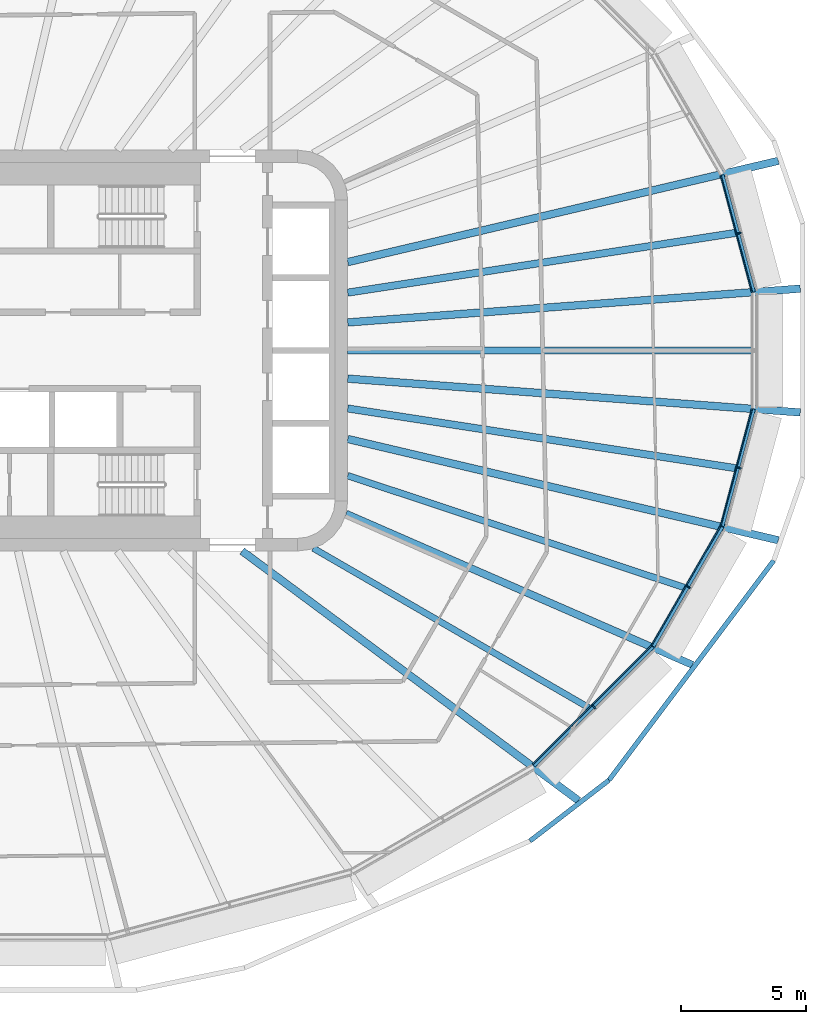
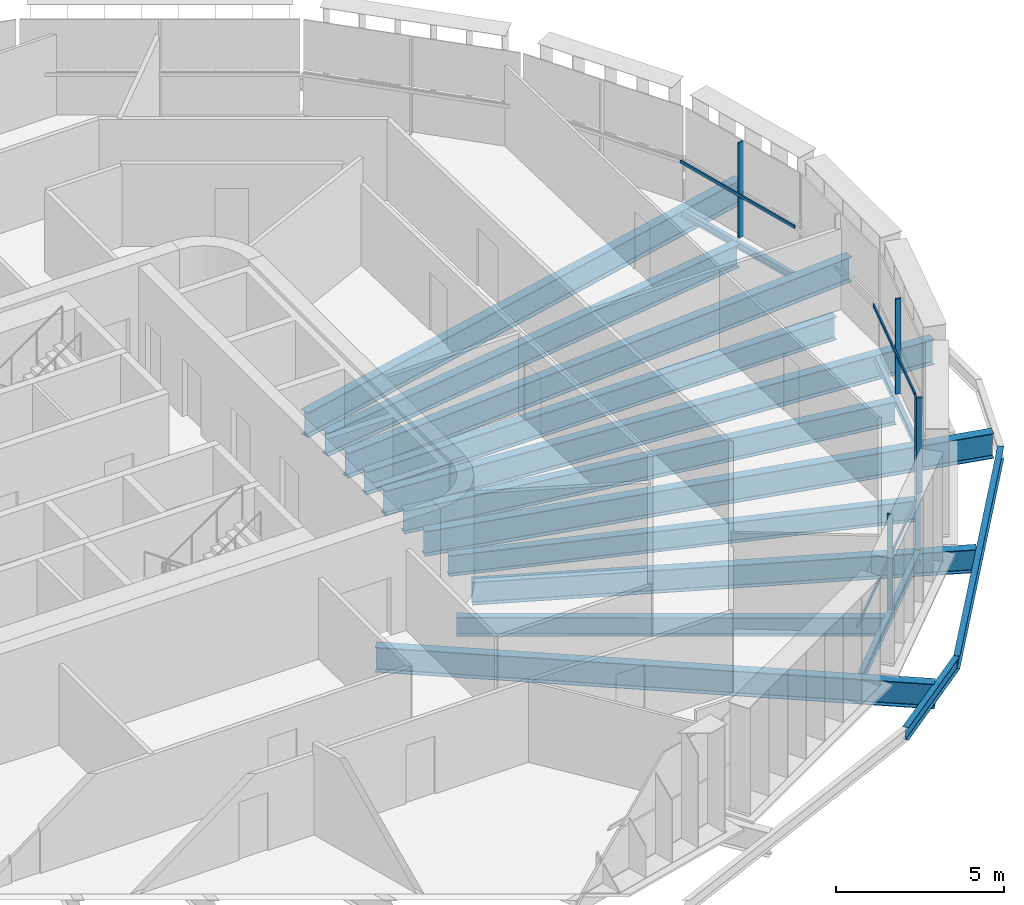
# One storey, part 4 of 23: 17 beams, 8 members, 4 elements without a shape of their own.
"""IFC4 building model written with IfcOpenShell, lengths in metres."""

import ifcopenshell
import ifcopenshell.guid

model = None  # the IFC model being written
_history = None  # IfcOwnerHistory: only IFC2X3 demands one
_inside = {}  # id of a spatial element -> (the spatial element, [elements in it])
_under = {}  # id of a project, library or spatial element -> (it, [spatial elements below it])
_declared = {}  # id of a project -> (the project, [libraries it declares])
_typed = {}  # id of a type object -> (the type object, [elements of that type])
_made_of = {}  # id of a material, layer set ... -> (it, [elements and type objects made of it])


def new_model(schema):
    """Start an empty IFC model of exactly this schema.

    Asked for "IFC4X3", IfcOpenShell would pick the latest addendum, in which some entities
    have other attributes; the version numbers below select the first issue.
    IFC2X3 requires an IfcOwnerHistory on every rooted entity: one is made here for all.
    """
    global model, _history
    if schema == "IFC4X3":
        model = ifcopenshell.file(schema_version=(4, 3, 0, 0))
    else:
        model = ifcopenshell.file(schema=schema)
    _inside.clear()
    _under.clear()
    _declared.clear()
    _typed.clear()
    _made_of.clear()
    _history = None
    if model.schema == "IFC2X3":
        org = make("IfcOrganization", Name="unknown")
        user = make(
            "IfcPersonAndOrganization",
            ThePerson=make("IfcPerson", FamilyName="unknown"),
            TheOrganization=org,
        )
        app = make(
            "IfcApplication",
            ApplicationDeveloper=org,
            Version="unknown",
            ApplicationFullName="unknown",
            ApplicationIdentifier="unknown",
        )
        _history = make(
            "IfcOwnerHistory",
            OwningUser=user,
            OwningApplication=app,
            ChangeAction="ADDED",
            CreationDate=0,
        )
    return model


def make(cls, **values):
    """One entity of the class cls with the attributes given. An attribute that is None is left unset."""
    return model.create_entity(
        cls, **{name: value for name, value in values.items() if value is not None}
    )


def rooted(cls, **values):
    """An entity with a GlobalId (a new one), such as an element, a storey or a relation."""
    return make(cls, GlobalId=ifcopenshell.guid.new(), OwnerHistory=_history, **values)


def si_unit(unit_type, name, prefix=None):
    """IfcSIUnit, for example si_unit("LENGTHUNIT", "METRE", prefix="MILLI")."""
    return make("IfcSIUnit", UnitType=unit_type, Prefix=prefix, Name=name)


def assignment(units):
    """IfcUnitAssignment: the units of a project."""
    return None if units is None else make("IfcUnitAssignment", Units=units)


def point(xyz):
    """IfcCartesianPoint."""
    return None if xyz is None else make("IfcCartesianPoint", Coordinates=xyz)


def direction(xyz):
    """IfcDirection."""
    return None if xyz is None else make("IfcDirection", DirectionRatios=xyz)


def frame(location, z_axis=None, x_axis=None):
    """IfcAxis2Placement3D, a coordinate frame: its origin and axes. An axis left out is left unset."""
    return make(
        "IfcAxis2Placement3D",
        Location=point(location),
        Axis=direction(z_axis),
        RefDirection=direction(x_axis),
    )


def frame_2d(location, x_axis=None):
    """IfcAxis2Placement2D, a coordinate frame in the plane: its origin and x axis."""
    return make(
        "IfcAxis2Placement2D", Location=point(location), RefDirection=direction(x_axis)
    )


def origin():
    """The frame at (0, 0, 0) with its axes left unset."""
    return frame((0.0, 0.0, 0.0))


def origin_2d():
    """The frame at (0, 0) in the plane with its x axis left unset."""
    return frame_2d((0.0, 0.0))


def place(relative_to, where):
    """IfcLocalPlacement: puts the frame where relative to a parent placement (None: the world)."""
    return make(
        "IfcLocalPlacement", PlacementRelTo=relative_to, RelativePlacement=where
    )


def context(
    kind, dimensions, precision=None, world=None, true_north=None, identifier=None
):
    """IfcGeometricRepresentationContext, for example the 3D "Model" context."""
    return make(
        "IfcGeometricRepresentationContext",
        ContextIdentifier=identifier,
        ContextType=kind,
        CoordinateSpaceDimension=dimensions,
        Precision=precision,
        WorldCoordinateSystem=world,
        TrueNorth=true_north,
    )


def subcontext(parent, identifier, kind, view, scale=None):
    """IfcGeometricRepresentationSubContext, for example "Body" below "Model"."""
    return make(
        "IfcGeometricRepresentationSubContext",
        ContextIdentifier=identifier,
        ContextType=kind,
        ParentContext=parent,
        TargetScale=scale,
        TargetView=view,
    )


def project(units=None, contexts=None):
    """IfcProject with its units and contexts."""
    return rooted(
        "IfcProject",
        Name="project",
        RepresentationContexts=contexts,
        UnitsInContext=assignment(units),
    )


def spatial(cls, under=None, at=None, **own):
    """A site, building, storey or space (cls), placed at a placement, below another one or the project."""
    s = rooted(cls, ObjectPlacement=at, **own)
    if under is not None:
        _under.setdefault(under.id(), (under, []))[1].append(s)
    return s


def profile(cls, at=None, kind="AREA", **sizes):
    """A parametric profile (cls). Its sizes go by their IFC names, for example OverallWidth=200.0."""
    return make(cls, ProfileType=kind, Position=at, **sizes)


def rectangle(**sizes):
    """IfcRectangleProfileDef."""
    return profile("IfcRectangleProfileDef", **sizes)


def i_section(**sizes):
    """IfcIShapeProfileDef."""
    return profile("IfcIShapeProfileDef", **sizes)


def extrude(swept, where, along, depth):
    """IfcExtrudedAreaSolid: the profile swept, set in the frame where, extruded along a direction by depth."""
    return make(
        "IfcExtrudedAreaSolid",
        SweptArea=swept,
        Position=where,
        ExtrudedDirection=direction(along),
        Depth=depth,
    )


def shape(context_of_items, identifier, shape_type, items):
    """IfcShapeRepresentation: the items that make up one representation, for example the "Body"."""
    return make(
        "IfcShapeRepresentation",
        ContextOfItems=context_of_items,
        RepresentationIdentifier=identifier,
        RepresentationType=shape_type,
        Items=items,
    )


def material(Name=None, Category=None):
    """IfcMaterial."""
    return make("IfcMaterial", Name=Name, Category=Category)


def layer(
    of_material, thickness, ventilated=None, Name=None, Category=None, Priority=None
):
    """IfcMaterialLayer: one layer of a wall or slab, of a material (None: an air gap)."""
    return make(
        "IfcMaterialLayer",
        Material=of_material,
        LayerThickness=thickness,
        IsVentilated=ventilated,
        Name=Name,
        Category=Category,
        Priority=Priority,
    )


def layer_set(layers, Name=None):
    """IfcMaterialLayerSet."""
    return make("IfcMaterialLayerSet", MaterialLayers=layers, LayerSetName=Name)


def material_profile(
    of_material, cross_section, Name=None, Category=None, Priority=None
):
    """IfcMaterialProfile: a cross section and its material."""
    return make(
        "IfcMaterialProfile",
        Name=Name,
        Material=of_material,
        Profile=cross_section,
        Priority=Priority,
        Category=Category,
    )


def profile_set(profiles, Name=None, composite=None):
    """IfcMaterialProfileSet."""
    return make(
        "IfcMaterialProfileSet",
        Name=Name,
        MaterialProfiles=profiles,
        CompositeProfile=composite,
    )


def made_of(thing, what):
    """Note that an element or type object is made of a material, layer set ...; save() writes the relation."""
    if what is not None:
        _made_of.setdefault(what.id(), (what, []))[1].append(thing)
    return thing


def type_object(cls, material=None, **own):
    """A type object (cls), such as IfcWallType, which elements share."""
    return made_of(rooted(cls, **own), material)


def element(
    cls,
    number,
    at=None,
    inside=None,
    cuts=None,
    type_object=None,
    material=None,
    context=None,
    identifier="Body",
    shape_type=None,
    held_by="IfcProductDefinitionShape",
    body=None,
    shapes=None,
    **own,
):
    """One element of the class cls, such as IfcWall. Its Tag is "e" and its number.

    at: its placement. inside: the storey or other place that contains it. cuts: it is an
    opening in that element (IfcRelVoidsElement). A single representation is given by context,
    identifier, shape_type and body (its items); several are given by shapes. held_by: the class
    of the entity that holds the representations. save() writes the other relations.
    """
    e = rooted(cls, Tag="e%d" % number, ObjectPlacement=at, **own)
    if body is not None:
        shapes = [shape(context, identifier, shape_type, body)]
    if shapes is not None:
        e.Representation = make(held_by, Representations=shapes)
    if inside is not None:
        _inside.setdefault(inside.id(), (inside, []))[1].append(e)
    if cuts is not None:
        rooted(
            "IfcRelVoidsElement", RelatingBuildingElement=cuts, RelatedOpeningElement=e
        )
    if type_object is not None:
        _typed.setdefault(type_object.id(), (type_object, []))[1].append(e)
    return made_of(e, material)


def aggregate(whole, parts):
    """IfcRelAggregates: a whole, such as a stair, and the parts it consists of."""
    return rooted("IfcRelAggregates", RelatingObject=whole, RelatedObjects=parts)


def save(model, path):
    """Write the relations noted so far, then the file.

    IfcRelAggregates (storeys below a building ...), IfcRelContainedInSpatialStructure (elements
    in a storey), IfcRelDefinesByType, IfcRelAssociatesMaterial and IfcRelDeclares: one each for
    every whole, place, type object, material and project.
    """
    for whole, parts in _under.values():
        aggregate(whole, parts)
    for where, things in _inside.values():
        rooted(
            "IfcRelContainedInSpatialStructure",
            RelatedElements=things,
            RelatingStructure=where,
        )
    for kind, things in _typed.values():
        rooted("IfcRelDefinesByType", RelatedObjects=things, RelatingType=kind)
    for what, things in _made_of.values():
        rooted("IfcRelAssociatesMaterial", RelatedObjects=things, RelatingMaterial=what)
    for by, libraries in _declared.values():
        rooted("IfcRelDeclares", RelatingContext=by, RelatedDefinitions=libraries)
    model.write(path)


model = new_model("IFC4")

# Units and contexts
model_context = context("Model", 3, precision=1e-05, world=origin(), true_north=direction((0.0, 1.0)))
body_context = subcontext(model_context, "Body", "Model", "MODEL_VIEW")
ifc_project = project(units=[si_unit("LENGTHUNIT", "METRE"), si_unit("AREAUNIT", "SQUARE_METRE"), si_unit("VOLUMEUNIT", "CUBIC_METRE"), si_unit("PLANEANGLEUNIT", "RADIAN"), si_unit("MASSUNIT", "GRAM", prefix="KILO")], contexts=[model_context])

# Site, building, storey
site_placement = place(None, origin())
site = spatial("IfcSite", under=ifc_project, at=site_placement, CompositionType="ELEMENT")
building_placement = place(site_placement, origin())
building = spatial("IfcBuilding", under=site, at=building_placement, Name="Sahrelin Media Tower", CompositionType="ELEMENT")
storey_placement = place(building_placement, frame((0.0, 0.0, 161.60009765625)))
storey = spatial("IfcBuildingStorey", under=building, at=storey_placement, Name="L33", CompositionType="ELEMENT", Elevation=161.60009765625)

# Beams
ifc_material_1 = material(Name="Steel S355", Category="steel")
ifc_material_profile_1 = material_profile(ifc_material_1, i_section(OverallWidth=0.14599609375, OverallDepth=0.25146484375, WebThickness=0.006103515625, FlangeThickness=0.008544921875, FilletRadius=0.007568359375, at=origin_2d()), Name="UB 254x146x31")
ifc_profile_set_1 = profile_set([ifc_material_profile_1], Name="Steel S355")
beam_type_1 = type_object("IfcBeamType", Name="Edge beam EB1", PredefinedType="BEAM", material=ifc_profile_set_1)
for number, where, z_axis, x_axis, name in (
    (1, (31.19775390625, -2.33740234375, -0.27587890625), (-0.258800908736, -0.965930685731, 0.0), (0.965930685731, -0.258800908736, 0.0), "Edge beam L33-02"),
    (2, (29.947265625, 7.004638671875, -0.27587890625), (0.258800908736, -0.965930685731, 0.0), (0.965930685731, 0.258800908736, 0.0), "Edge beam L33-24"),
):
    element("IfcBeam", number, at=place(storey_placement, frame(where, z_axis=z_axis, x_axis=x_axis)), inside=storey, type_object=beam_type_1, Name=name, PredefinedType="BEAM", context=body_context, shape_type="SweptSolid", body=[
        extrude(i_section(OverallWidth=0.14599609375, OverallDepth=0.25146484375, WebThickness=0.006103515625, FlangeThickness=0.008544921875, FilletRadius=0.007568359375, at=origin_2d()), origin(), (0.0, 0.0, 1.0), 4.831787109375),
    ])
ifc_material_profile_2 = material_profile(ifc_material_1, i_section(OverallWidth=0.1650390625, OverallDepth=0.303466796875, WebThickness=0.006103515625, FlangeThickness=0.01025390625, FilletRadius=0.0087890625, at=origin_2d()), Name="UB 305x165x40")
ifc_profile_set_2 = profile_set([ifc_material_profile_2], Name="Steel S355")
beam_type_2 = type_object("IfcBeamType", Name="Edge beam EB2", PredefinedType="BEAM", material=ifc_profile_set_2)
beam_1_placement = place(storey_placement, frame((29.936279296875, -7.03125, -0.3017578125), z_axis=(-0.499996181239, -0.866027608536, 0.0), x_axis=(0.866027608536, -0.499996181239, 0.0)))
element("IfcBeam", 3, at=beam_1_placement, inside=storey, type_object=beam_type_2, Name="Edge beam L33-03", PredefinedType="BEAM", context=body_context, shape_type="SweptSolid", body=[
    extrude(i_section(OverallWidth=0.1650390625, OverallDepth=0.303466796875, WebThickness=0.006103515625, FlangeThickness=0.01025390625, FilletRadius=0.0087890625, at=origin_2d()), origin(), (0.0, 0.0, 1.0), 5.50732421875),
])
ifc_material_profile_3 = material_profile(ifc_material_1, i_section(OverallWidth=0.17138671875, OverallDepth=0.35498046875, WebThickness=0.00732421875, FlangeThickness=0.011474609375, FilletRadius=0.01025390625, at=origin_2d()), Name="UB 356x171x51")
ifc_profile_set_3 = profile_set([ifc_material_profile_3], Name="Steel S355")
beam_type_3 = type_object("IfcBeamType", Name="Edge beam EB3", PredefinedType="BEAM", material=ifc_profile_set_3)
beam_2_placement = place(storey_placement, frame((27.1650390625, -11.823486328125, -0.32763671875), z_axis=(-0.707088574851, -0.707124987054, 0.0), x_axis=(0.707124987054, -0.707088574851, 0.0)))
element("IfcBeam", 4, at=beam_2_placement, inside=storey, type_object=beam_type_3, Name="Edge beam L33-04", PredefinedType="BEAM", context=body_context, shape_type="SweptSolid", body=[
    extrude(i_section(OverallWidth=0.17138671875, OverallDepth=0.35498046875, WebThickness=0.00732421875, FlangeThickness=0.011474609375, FilletRadius=0.01025390625, at=origin_2d()), origin(), (0.0, 0.0, 1.0), 6.704833984375),
])

# Curtain wall, member
ifc_material_2 = material(Name="Champagne anodised aluminium 6063-T6", Category="aluminium")
ifc_layer = layer(ifc_material_2, 0.14990234375)
ifc_layer_set = layer_set([ifc_layer], Name="Tower ribbon curtain wall")
curtain_wall_type = type_object("IfcCurtainWallType", Name="Tower ribbon curtain wall", PredefinedType="NOTDEFINED", material=ifc_layer_set)
curtain_wall_1_placement = place(storey_placement, frame((30.71728515625, 4.709716796875, 0.0), z_axis=(0.0, 0.0, 1.0), x_axis=(1.0, 0.0, 0.0)))
curtain_wall_1 = element("IfcCurtainWall", 5, at=curtain_wall_1_placement, inside=storey, type_object=curtain_wall_type, Name="L33:CW:L33-01", PredefinedType="NOTDEFINED")
ifc_material_profile_4 = material_profile(ifc_material_2, rectangle(XDim=0.06005859375, YDim=0.175048828125, at=origin_2d()), Name="Mullion 60x175")
ifc_profile_set_4 = profile_set([ifc_material_profile_4], Name="Champagne anodised aluminium 6063-T6")
member_type_1 = type_object("IfcMemberType", Name="Mullion 60x175 CW1B", PredefinedType="MULLION", material=ifc_profile_set_4)
member_1_placement = place(storey_placement, frame((30.613525390625, 4.681884765625, 0.0), z_axis=(0.0, 0.0, 1.0), x_axis=(-0.258807244073, 0.965928988288, 0.0)))
member_1 = element("IfcMember", 6, at=member_1_placement, type_object=member_type_1, Name="L33:CWM:L33-01", PredefinedType="MULLION", context=body_context, shape_type="SweptSolid", body=[
    extrude(rectangle(XDim=0.06005859375, YDim=0.175048828125, at=origin_2d()), origin(), (0.0, 0.0, 1.0), 3.448486328125),
])

curtain_wall_2_placement = place(storey_placement, frame((24.900390625, -14.300048828125, 0.0), z_axis=(0.0, 0.0, 1.0), x_axis=(1.0, 0.0, 0.0)))
curtain_wall_2 = element("IfcCurtainWall", 7, at=curtain_wall_2_placement, inside=storey, type_object=curtain_wall_type, Name="L33:CW:L33-21", PredefinedType="NOTDEFINED")
member_2_placement = place(storey_placement, frame((24.824462890625, -14.22412109375, 0.0), z_axis=(0.0, 0.0, 1.0), x_axis=(0.707106781187, 0.707106781187, 0.0)))
member_2 = element("IfcMember", 8, at=member_2_placement, type_object=member_type_1, Name="L33:CWM:L33-21", PredefinedType="MULLION", context=body_context, shape_type="SweptSolid", body=[
    extrude(rectangle(XDim=0.06005859375, YDim=0.175048828125, at=origin_2d()), origin(), (0.0, 0.0, 1.0), 3.448486328125),
])

curtain_wall_3_placement = place(storey_placement, frame((28.689208984375, -9.490966796875, 0.0), z_axis=(0.0, 0.0, 1.0), x_axis=(1.0, 0.0, 0.0)))
curtain_wall_3 = element("IfcCurtainWall", 9, at=curtain_wall_3_placement, inside=storey, type_object=curtain_wall_type, Name="L33:CW:L33-22", PredefinedType="NOTDEFINED")
member_3_placement = place(storey_placement, frame((28.59619140625, -9.437255859375, 0.0), z_axis=(0.0, 0.0, 1.0), x_axis=(0.4999984885, 0.866026276448, 0.0)))
member_3 = element("IfcMember", 10, at=member_3_placement, type_object=member_type_1, Name="L33:CWM:L33-22", PredefinedType="MULLION", context=body_context, shape_type="SweptSolid", body=[
    extrude(rectangle(XDim=0.06005859375, YDim=0.175048828125, at=origin_2d()), origin(), (0.0, 0.0, 1.0), 3.448486328125),
])

curtain_wall_4_placement = place(storey_placement, frame((30.71728515625, -4.709716796875, 0.0), z_axis=(0.0, 0.0, 1.0), x_axis=(1.0, 0.0, 0.0)))
curtain_wall_4 = element("IfcCurtainWall", 11, at=curtain_wall_4_placement, inside=storey, type_object=curtain_wall_type, Name="L33:CW:L33-23", PredefinedType="NOTDEFINED")
member_4_placement = place(storey_placement, frame((30.613525390625, -4.681884765625, 0.0), z_axis=(0.0, 0.0, 1.0), x_axis=(0.258807244073, 0.965928988288, 0.0)))
member_4 = element("IfcMember", 12, at=member_4_placement, type_object=member_type_1, Name="L33:CWM:L33-23", PredefinedType="MULLION", context=body_context, shape_type="SweptSolid", body=[
    extrude(rectangle(XDim=0.06005859375, YDim=0.175048828125, at=origin_2d()), origin(), (0.0, 0.0, 1.0), 3.448486328125),
])

# Beams
ifc_material_profile_5 = material_profile(ifc_material_1, i_section(OverallWidth=0.291748046875, OverallDepth=0.8349609375, WebThickness=0.013916015625, FlangeThickness=0.018798828125, FilletRadius=0.017822265625, at=origin_2d()), Name="UB 838x292x176")
ifc_profile_set_5 = profile_set([ifc_material_profile_5], Name="Steel S355")
beam_type_4 = type_object("IfcBeamType", Name="Radial primary beam PB10", PredefinedType="BEAM", material=ifc_profile_set_5)
beam_3_placement = place(storey_placement, frame((14.9326171875, -6.51318359375, -0.567626953125), z_axis=(0.916605175985, -0.399793635964, 0.0), x_axis=(0.399793635964, 0.916605175985, 0.0)))
element("IfcBeam", 13, at=beam_3_placement, inside=storey, type_object=beam_type_4, Name="Radial beam L33-22", PredefinedType="BEAM", context=body_context, shape_type="SweptSolid", body=[
    extrude(i_section(OverallWidth=0.291748046875, OverallDepth=0.8349609375, WebThickness=0.013916015625, FlangeThickness=0.018798828125, FilletRadius=0.017822265625, at=origin_2d()), origin(), (0.0, 0.0, 1.0), 15.082275390625),
])
ifc_material_profile_6 = material_profile(ifc_material_1, i_section(OverallWidth=0.30322265625, OverallDepth=0.903076171875, WebThickness=0.01513671875, FlangeThickness=0.020263671875, FilletRadius=0.01904296875, at=origin_2d()), Name="UB 914x305x201")
ifc_profile_set_6 = profile_set([ifc_material_profile_6], Name="Steel S355")
beam_type_5 = type_object("IfcBeamType", Name="Radial primary beam PB11", PredefinedType="BEAM", material=ifc_profile_set_6)
beam_4_placement = place(storey_placement, frame((15.0, 1.12109375, -0.6015625), z_axis=(0.997219506704, 0.074520168071, 0.0), x_axis=(-0.074520168071, 0.997219506704, 0.0)))
element("IfcBeam", 14, at=beam_4_placement, inside=storey, type_object=beam_type_5, Name="Radial beam L33-01", PredefinedType="BEAM", context=body_context, shape_type="SweptSolid", body=[
    extrude(i_section(OverallWidth=0.30322265625, OverallDepth=0.903076171875, WebThickness=0.01513671875, FlangeThickness=0.020263671875, FilletRadius=0.01904296875, at=origin_2d()), origin(), (0.0, 0.0, 1.0), 18.110595703125),
])
beam_5_placement = place(storey_placement, frame((15.0, 3.528564453125, -0.6015625), z_axis=(0.97342895828, 0.228989220665, 0.0), x_axis=(-0.228989220665, 0.97342895828, 0.0)))
element("IfcBeam", 15, at=beam_5_placement, inside=storey, type_object=beam_type_5, Name="Radial beam L33-02", PredefinedType="BEAM", context=body_context, shape_type="SweptSolid", body=[
    extrude(i_section(OverallWidth=0.30322265625, OverallDepth=0.903076171875, WebThickness=0.01513671875, FlangeThickness=0.020263671875, FilletRadius=0.01904296875, at=origin_2d()), origin(), (0.0, 0.0, 1.0), 17.650390625),
])
beam_6_placement = place(storey_placement, frame((10.784423828125, -8.0, -0.6015625), z_axis=(0.803147173912, -0.595780678637, 0.0), x_axis=(0.595780678637, 0.803147173912, 0.0)))
element("IfcBeam", 16, at=beam_6_placement, inside=storey, type_object=beam_type_5, Name="Radial beam L33-21", PredefinedType="BEAM", context=body_context, shape_type="SweptSolid", body=[
    extrude(i_section(OverallWidth=0.30322265625, OverallDepth=0.903076171875, WebThickness=0.01513671875, FlangeThickness=0.020263671875, FilletRadius=0.01904296875, at=origin_2d()), origin(), (0.0, 0.0, 1.0), 16.7158203125),
])
beam_7_placement = place(storey_placement, frame((15.0, -3.528564453125, -0.6015625), z_axis=(0.97342895828, -0.228989220665, 0.0), x_axis=(0.228989220665, 0.97342895828, 0.0)))
element("IfcBeam", 17, at=beam_7_placement, inside=storey, type_object=beam_type_5, Name="Radial beam L33-23", PredefinedType="BEAM", context=body_context, shape_type="SweptSolid", body=[
    extrude(i_section(OverallWidth=0.30322265625, OverallDepth=0.903076171875, WebThickness=0.01513671875, FlangeThickness=0.020263671875, FilletRadius=0.01904296875, at=origin_2d()), origin(), (0.0, 0.0, 1.0), 17.650390625),
])
beam_8_placement = place(storey_placement, frame((15.0, -1.12109375, -0.6015625), z_axis=(0.997219506704, -0.074520168071, 0.0), x_axis=(0.074520168071, 0.997219506704, 0.0)))
element("IfcBeam", 18, at=beam_8_placement, inside=storey, type_object=beam_type_5, Name="Radial beam L33-24", PredefinedType="BEAM", context=body_context, shape_type="SweptSolid", body=[
    extrude(i_section(OverallWidth=0.30322265625, OverallDepth=0.903076171875, WebThickness=0.01513671875, FlangeThickness=0.020263671875, FilletRadius=0.01904296875, at=origin_2d()), origin(), (0.0, 0.0, 1.0), 18.110595703125),
])
ifc_material_profile_7 = material_profile(ifc_material_1, i_section(OverallWidth=0.291748046875, OverallDepth=0.8349609375, WebThickness=0.013916015625, FlangeThickness=0.018798828125, FilletRadius=0.017822265625, at=origin_2d()), Name="UB 838x292x176")
ifc_profile_set_7 = profile_set([ifc_material_profile_7], Name="Steel S355")
beam_type_6 = type_object("IfcBeamType", Name="Radial secondary beam SB10", PredefinedType="BEAM", material=ifc_profile_set_7)
for number, where, z_axis, x_axis, name in (
    (19, (15.0, 2.310302734375, -0.567626953125), (0.988348454864, 0.152208185611, 0.0), (-0.152208185611, 0.988348454864, 0.0), "Secondary beam L33-01"),
    (20, (15.0, -2.310302734375, -0.567626953125), (0.988348454864, -0.152208185611, 0.0), (0.152208185611, 0.988348454864, 0.0), "Secondary beam L33-23"),
):
    element("IfcBeam", number, at=place(storey_placement, frame(where, z_axis=z_axis, x_axis=x_axis)), inside=storey, type_object=beam_type_6, Name=name, PredefinedType="BEAM", context=body_context, shape_type="SweptSolid", body=[
        extrude(i_section(OverallWidth=0.291748046875, OverallDepth=0.8349609375, WebThickness=0.013916015625, FlangeThickness=0.018798828125, FilletRadius=0.017822265625, at=origin_2d()), origin(), (0.0, 0.0, 1.0), 15.672607421875),
    ])
beam_9_placement = place(storey_placement, frame((15.0, 0.0, -0.567626953125), z_axis=(1.0, 0.0, 0.0), x_axis=(0.0, 1.0, 0.0)))
element("IfcBeam", 21, at=beam_9_placement, inside=storey, type_object=beam_type_6, Name="Secondary beam L33-24", PredefinedType="BEAM", context=body_context, shape_type="SweptSolid", body=[
    extrude(i_section(OverallWidth=0.291748046875, OverallDepth=0.8349609375, WebThickness=0.013916015625, FlangeThickness=0.018798828125, FilletRadius=0.017822265625, at=origin_2d()), origin(), (0.0, 0.0, 1.0), 16.12841796875),
])
ifc_material_profile_8 = material_profile(ifc_material_1, i_section(OverallWidth=0.2529296875, OverallDepth=0.677978515625, WebThickness=0.01171875, FlangeThickness=0.01611328125, FilletRadius=0.01513671875, at=origin_2d()), Name="UB 686x254x125")
ifc_profile_set_8 = profile_set([ifc_material_profile_8], Name="Steel S355")
beam_type_7 = type_object("IfcBeamType", Name="Radial secondary beam SB8", PredefinedType="BEAM", material=ifc_profile_set_8)
beam_10_placement = place(storey_placement, frame((13.624755859375, -7.887451171875, -0.489013671875), z_axis=(0.865442516247, -0.501008234535, 0.0), x_axis=(0.501008234535, 0.865442516247, 0.0)))
element("IfcBeam", 22, at=beam_10_placement, inside=storey, type_object=beam_type_7, Name="Secondary beam L33-21", PredefinedType="BEAM", context=body_context, shape_type="SweptSolid", body=[
    extrude(i_section(OverallWidth=0.2529296875, OverallDepth=0.677978515625, WebThickness=0.01171875, FlangeThickness=0.01611328125, FilletRadius=0.01513671875, at=origin_2d()), origin(), (0.0, 0.0, 1.0), 12.700927734375),
])
ifc_material_profile_9 = material_profile(ifc_material_1, i_section(OverallWidth=0.26513671875, OverallDepth=0.75390625, WebThickness=0.0126953125, FlangeThickness=0.017578125, FilletRadius=0.0166015625, at=origin_2d()), Name="UB 762x267x147")
ifc_profile_set_9 = profile_set([ifc_material_profile_9], Name="Steel S355")
beam_type_8 = type_object("IfcBeamType", Name="Radial secondary beam SB9", PredefinedType="BEAM", material=ifc_profile_set_9)
beam_11_placement = place(storey_placement, frame((15.0, -4.990234375, -0.527099609375), z_axis=(0.948867590332, -0.315674351219, 0.0), x_axis=(0.315674351219, 0.948867590332, 0.0)))
element("IfcBeam", 23, at=beam_11_placement, inside=storey, type_object=beam_type_8, Name="Secondary beam L33-22", PredefinedType="BEAM", context=body_context, shape_type="SweptSolid", body=[
    extrude(i_section(OverallWidth=0.26513671875, OverallDepth=0.75390625, WebThickness=0.0126953125, FlangeThickness=0.017578125, FilletRadius=0.0166015625, at=origin_2d()), origin(), (0.0, 0.0, 1.0), 14.162353515625),
])
ifc_material_profile_10 = material_profile(ifc_material_1, i_section(OverallWidth=0.1904296875, OverallDepth=0.45703125, WebThickness=0.009033203125, FlangeThickness=0.014404296875, FilletRadius=0.01025390625, at=origin_2d()), Name="UB 457x191x74")
ifc_profile_set_10 = profile_set([ifc_material_profile_10], Name="Steel S355")
beam_type_9 = type_object("IfcBeamType", Name="Tie chord TC5", PredefinedType="BEAM", material=ifc_profile_set_10)
beam_12_placement = place(storey_placement, frame((22.272705078125, -19.56982421875, -0.378662109375), z_axis=(0.792471121329, 0.609909437424, 0.0), x_axis=(-0.609909437424, 0.792471121329, 0.0)))
element("IfcBeam", 24, at=beam_12_placement, inside=storey, type_object=beam_type_9, Name="Tie chord L33-21", PredefinedType="BEAM", context=body_context, shape_type="SweptSolid", body=[
    extrude(i_section(OverallWidth=0.1904296875, OverallDepth=0.45703125, WebThickness=0.009033203125, FlangeThickness=0.014404296875, FilletRadius=0.01025390625, at=origin_2d()), origin(), (0.0, 0.0, 1.0), 3.978515625),
])
beam_13_placement = place(storey_placement, frame((25.425537109375, -17.143310546875, -0.378662109375), z_axis=(0.600060592458, 0.799954552071, 0.0), x_axis=(-0.799954552071, 0.600060592458, 0.0)))
element("IfcBeam", 25, at=beam_13_placement, inside=storey, type_object=beam_type_9, Name="Tie chord L33-22", PredefinedType="BEAM", context=body_context, shape_type="SweptSolid", body=[
    extrude(i_section(OverallWidth=0.1904296875, OverallDepth=0.45703125, WebThickness=0.009033203125, FlangeThickness=0.014404296875, FilletRadius=0.01025390625, at=origin_2d()), origin(), (0.0, 0.0, 1.0), 10.959228515625),
])

# Member
ifc_material_profile_11 = material_profile(ifc_material_2, rectangle(XDim=0.050048828125, YDim=0.110107421875, at=origin_2d()), Name="Transom 50x110")
ifc_profile_set_11 = profile_set([ifc_material_profile_11], Name="Champagne anodised aluminium 6063-T6")
member_type_2 = type_object("IfcMemberType", Name="Transom 50x110 CW1B", PredefinedType="USERDEFINED", material=ifc_profile_set_11)
member_5_placement = place(storey_placement, frame((31.126220703125, 2.33447265625, 1.599853515625), z_axis=(-0.25885894947, 0.965915133063, 0.0), x_axis=(-0.965915133063, -0.25885894947, 0.0)))
member_5 = element("IfcMember", 26, at=member_5_placement, type_object=member_type_2, Name="L33:CWT:L33-01", ObjectType="TRANSOM", PredefinedType="USERDEFINED", context=body_context, shape_type="SweptSolid", body=[
    extrude(rectangle(XDim=0.050048828125, YDim=0.110107421875, at=origin_2d()), origin(), (0.0, 0.0, 1.0), 4.800537109375),
])

aggregate(curtain_wall_1, [member_1, member_5])

member_6_placement = place(storey_placement, frame((22.385498046875, -16.50390625, 1.599853515625), z_axis=(0.707125072767, 0.707088489133, 0.0), x_axis=(-0.707088489133, 0.707125072767, 0.0)))
member_6 = element("IfcMember", 27, at=member_6_placement, type_object=member_type_2, Name="L33:CWT:L33-21", ObjectType="TRANSOM", PredefinedType="USERDEFINED", context=body_context, shape_type="SweptSolid", body=[
    extrude(rectangle(XDim=0.050048828125, YDim=0.110107421875, at=origin_2d()), origin(), (0.0, 0.0, 1.0), 6.673583984375),
])

aggregate(curtain_wall_2, [member_2, member_6])

member_7_placement = place(storey_placement, frame((27.1298828125, -11.752197265625, 1.599853515625), z_axis=(0.49998489776, 0.866034122891, 0.0), x_axis=(-0.866034122891, 0.49998489776, 0.0)))
member_7 = element("IfcMember", 28, at=member_7_placement, type_object=member_type_2, Name="L33:CWT:L33-22", ObjectType="TRANSOM", PredefinedType="USERDEFINED", context=body_context, shape_type="SweptSolid", body=[
    extrude(rectangle(XDim=0.050048828125, YDim=0.110107421875, at=origin_2d()), origin(), (0.0, 0.0, 1.0), 5.475830078125),
])

aggregate(curtain_wall_3, [member_3, member_7])

member_8_placement = place(storey_placement, frame((29.883544921875, -6.971435546875, 1.599853515625), z_axis=(0.25885894947, 0.965915133063, 0.0), x_axis=(-0.965915133063, 0.25885894947, 0.0)))
member_8 = element("IfcMember", 29, at=member_8_placement, type_object=member_type_2, Name="L33:CWT:L33-23", ObjectType="TRANSOM", PredefinedType="USERDEFINED", context=body_context, shape_type="SweptSolid", body=[
    extrude(rectangle(XDim=0.050048828125, YDim=0.110107421875, at=origin_2d()), origin(), (0.0, 0.0, 1.0), 4.800537109375),
])

aggregate(curtain_wall_4, [member_4, member_8])

save(model, "model.ifc")
